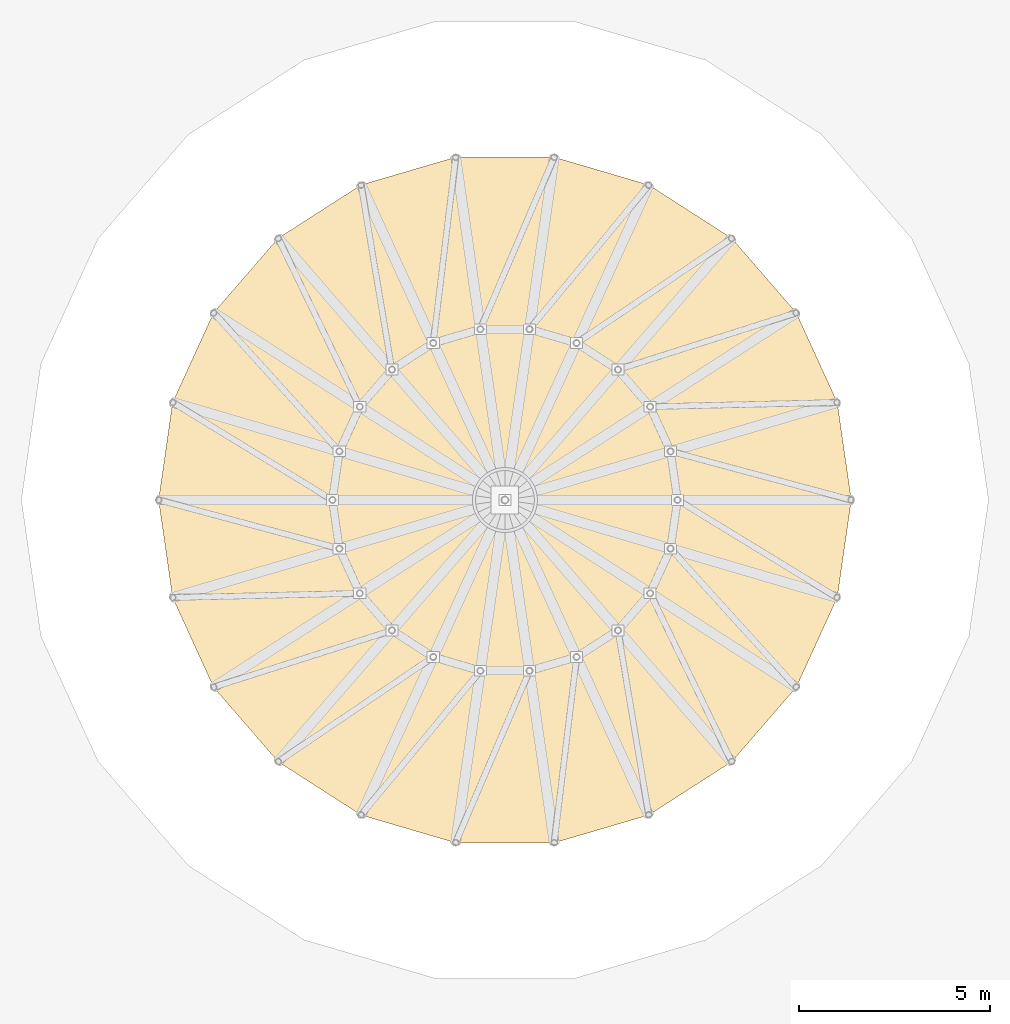
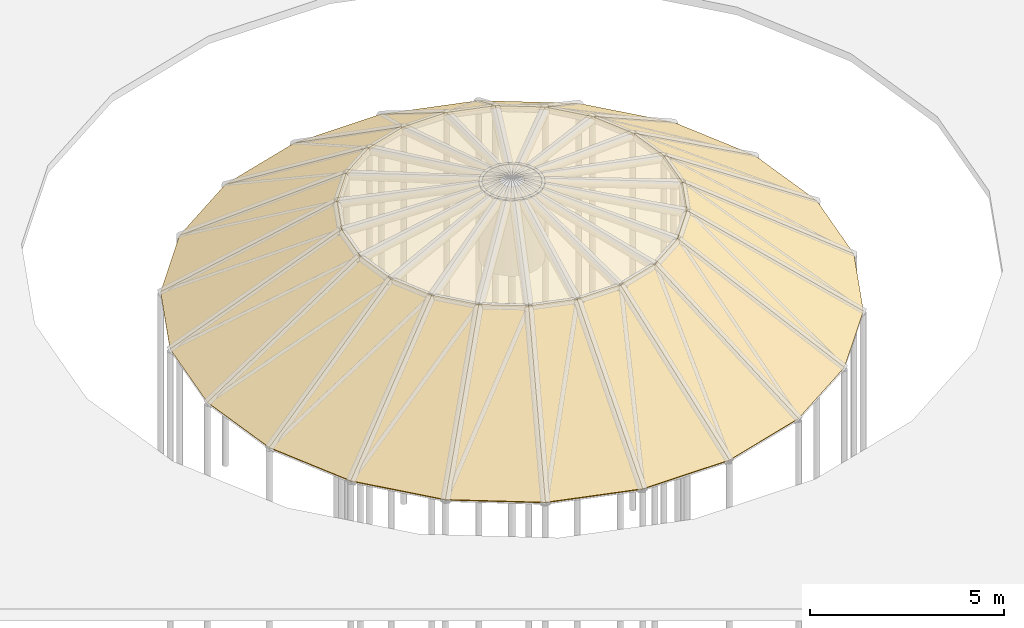
# One storey, part 8 of 8: 44 coverings.
"""IFC4 building model written with IfcOpenShell, lengths in metres."""

from ifc_helpers import new_model, si_unit, direction, frame, origin, place, context, subcontext, project, spatial, polyline, outline, extrude, material, layer, layer_set, type_object, element, save


model = new_model("IFC4")

# Units and contexts
model_context = context("Model", 3, precision=1e-05, world=origin(), true_north=direction((0.0, 1.0)))
body_context = subcontext(model_context, "Body", "Model", "MODEL_VIEW")
ifc_project = project(units=[si_unit("LENGTHUNIT", "METRE"), si_unit("AREAUNIT", "SQUARE_METRE"), si_unit("VOLUMEUNIT", "CUBIC_METRE"), si_unit("PLANEANGLEUNIT", "RADIAN"), si_unit("MASSUNIT", "GRAM", prefix="KILO")], contexts=[model_context])

# Site, building, storey
site_placement = place(None, origin())
site = spatial("IfcSite", under=ifc_project, at=site_placement, CompositionType="ELEMENT")
building_placement = place(site_placement, origin())
building = spatial("IfcBuilding", under=site, at=building_placement, Name="Pelvatis Terrace Science Centre", CompositionType="ELEMENT")
storey_placement = place(building_placement, frame((0.0, 0.0, 28.800048828125)))
storey = spatial("IfcBuildingStorey", under=building, at=storey_placement, Name="RF", CompositionType="ELEMENT", Elevation=28.800048828125)

# Coverings
ifc_material = material(Name="Standing-seam bronze-patinated zinc roofing", Category="steel")
ifc_layer = layer(ifc_material, 0.06494140625)
ifc_layer_set = layer_set([ifc_layer], Name="Standing-seam bronze-patinated zinc roofing")
covering_type = type_object("IfcCoveringType", Name="COV-ROOF-ZINC-65", PredefinedType="ROOFING", material=ifc_layer_set)
covering_1_placement = place(storey_placement, frame((118.263671875, 85.800048828125, -1.38232421875), z_axis=(0.550181092954, 0.079108941376, 0.831289684978), x_axis=(-0.142331752591, 0.989819009805, 5.6601e-06)))
element("IfcCovering", 1, at=covering_1_placement, inside=storey, type_object=covering_type, Name="Planetarium dome zinc roofing 3.01", PredefinedType="ROOFING", context=body_context, shape_type="SweptSolid", body=[
    extrude(outline(polyline([(0.0, 0.0), (2.5797324168585383, -5.551115123125783e-17), (1.9324399081032637, 5.415670184627411), (0.6473902196810699, 5.415709539616202), (0.0, 0.0)])), origin(), (0.0, 0.0, -1.0), 0.06494140625),
])
covering_2_placement = place(storey_placement, frame((117.896484375, 88.353515625, -1.38232421875), z_axis=(0.505614415474, 0.230881216315, 0.831292924797), x_axis=(-0.415368092473, 0.909653421753, -6.968852e-06)))
element("IfcCovering", 2, at=covering_2_placement, inside=storey, type_object=covering_type, Name="Planetarium dome zinc roofing 3.02", PredefinedType="ROOFING", context=body_context, shape_type="SweptSolid", body=[
    extrude(outline(polyline([(0.0, 0.0), (2.5797459100959377, -2.220446049250313e-16), (1.9322725027435417, 5.415761298979378), (0.6469355264219757, 5.415712839972862), (0.0, 0.0)])), origin(), (0.0, 0.0, -1.0), 0.06494140625),
])
covering_3_placement = place(storey_placement, frame((116.824951171875, 90.7001953125, -1.38232421875), z_axis=(0.420067060851, 0.363994919746, 0.831294991436), x_axis=(-0.65486566033, 0.755745305589, 4.9718e-08)))
element("IfcCovering", 3, at=covering_3_placement, inside=storey, type_object=covering_type, Name="Planetarium dome zinc roofing 3.03", PredefinedType="ROOFING", context=body_context, shape_type="SweptSolid", body=[
    extrude(outline(polyline([(0.0, 0.0), (2.579846772441714, -2.220446049250313e-16), (1.9325000357114408, 5.4157670150134), (0.647422702510147, 5.415767360724928), (0.0, 0.0)])), origin(), (0.0, 0.0, -1.0), 0.06494140625),
])
covering_4_placement = place(storey_placement, frame((115.135498046875, 92.64990234375, -1.38232421875), z_axis=(0.300518662124, 0.46759439963, 0.831290569627), x_axis=(-0.84125761292, 0.540634468319, 1.9202315e-05)))
element("IfcCovering", 4, at=covering_4_placement, inside=storey, type_object=covering_type, Name="Planetarium dome zinc roofing 3.04", PredefinedType="ROOFING", context=body_context, shape_type="SweptSolid", body=[
    extrude(outline(polyline([(0.0, 0.0), (2.579937718840264, -2.220446049250313e-16), (1.9327545476483177, 5.4156359862847046), (0.6473257637300799, 5.415769521547444), (0.0, 0.0)])), origin(), (0.0, 0.0, -1.0), 0.06494140625),
])
covering_5_placement = place(storey_placement, frame((112.965087890625, 94.044677734375, -1.38232421875), z_axis=(0.156602526415, 0.533326406662, 0.831287310548), x_axis=(-0.959488613652, 0.281747405022, -6.00291e-06)))
element("IfcCovering", 5, at=covering_5_placement, inside=storey, type_object=covering_type, Name="Planetarium dome zinc roofing 3.05", PredefinedType="ROOFING", context=body_context, shape_type="SweptSolid", body=[
    extrude(outline(polyline([(0.0, 0.0), (2.5796039037968295, -1.1102230246251565e-16), (1.9324036203314163, 5.415676133052485), (0.6471964940612613, 5.415634394444972), (0.0, 0.0)])), origin(), (0.0, 0.0, -1.0), 0.06494140625),
])
covering_6_placement = place(storey_placement, frame((110.489990234375, 94.771484375, -1.38232421875), z_axis=(0.0, 0.55584402576, 0.831286604624), x_axis=(-1.0, 0.0, 0.0)))
element("IfcCovering", 6, at=covering_6_placement, inside=storey, type_object=covering_type, Name="Planetarium dome zinc roofing 3.06", PredefinedType="ROOFING", context=body_context, shape_type="SweptSolid", body=[
    extrude(outline(polyline([(0.0, 0.0), (2.579833984375, 0.0), (1.9326171875, 5.415644977266387), (0.6474609375, 5.415644977266387), (0.0, 0.0)])), origin(), (0.0, 0.0, -1.0), 0.06494140625),
])
covering_7_placement = place(storey_placement, frame((107.91015625, 94.771484375, -1.38232421875), z_axis=(-0.15659386176, 0.533332008998, 0.831285348504), x_axis=(-0.959495353851, -0.281724450367, 1.905841e-06)))
element("IfcCovering", 7, at=covering_7_placement, inside=storey, type_object=covering_type, Name="Planetarium dome zinc roofing 3.07", PredefinedType="ROOFING", context=body_context, shape_type="SweptSolid", body=[
    extrude(outline(polyline([(0.0, 0.0), (2.5798381546480718, -1.1102230246251565e-16), (1.9325216242474308, 5.41562004815724), (0.6473144972464567, 5.415633300322998), (0.0, 0.0)])), origin(), (0.0, 0.0, -1.0), 0.06494140625),
])
covering_8_placement = place(storey_placement, frame((105.434814453125, 94.044677734375, -1.38232421875), z_axis=(-0.300537675535, 0.467588874155, 0.831286803907), x_axis=(-0.84123279303, -0.540673087736, -1.1341236e-05)))
element("IfcCovering", 8, at=covering_8_placement, inside=storey, type_object=covering_type, Name="Planetarium dome zinc roofing 3.08", PredefinedType="ROOFING", context=body_context, shape_type="SweptSolid", body=[
    extrude(outline(polyline([(0.0, 0.0), (2.57973233581085, -2.220446049250313e-16), (1.9328422957017184, 5.41568731921476), (0.6474135063669628, 5.4156084558526265), (0.0, 0.0)])), origin(), (0.0, 0.0, -1.0), 0.06494140625),
])
covering_9_placement = place(storey_placement, frame((103.2646484375, 92.64990234375, -1.38232421875), z_axis=(-0.42007895789, 0.364005228724, 0.831284465511), x_axis=(-0.654865660329, -0.755745305591, -4.9719e-08)))
element("IfcCovering", 9, at=covering_9_placement, inside=storey, type_object=covering_type, Name="Planetarium dome zinc roofing 3.09", PredefinedType="ROOFING", context=body_context, shape_type="SweptSolid", body=[
    extrude(outline(polyline([(0.0, 0.0), (2.579846772441714, 2.220446049250313e-16), (1.9325839492493049, 5.415613981012818), (0.6475066160480113, 5.415613635305668), (0.0, 0.0)])), origin(), (0.0, 0.0, -1.0), 0.06494140625),
])
covering_10_placement = place(storey_placement, frame((101.5751953125, 90.7001953125, -1.38232421875), z_axis=(-0.505609766085, 0.230914202593, 0.831286590461), x_axis=(-0.415438352489, -0.909621336184, -6.258634e-06)))
element("IfcCovering", 10, at=covering_10_placement, inside=storey, type_object=covering_type, Name="Planetarium dome zinc roofing 3.10", PredefinedType="ROOFING", context=body_context, shape_type="SweptSolid", body=[
    extrude(outline(polyline([(0.0, 0.0), (2.5798473268632858, 0.0), (1.9325242492108112, 5.415666530873442), (0.6471872726773734, 5.415623010082562), (0.0, 0.0)])), origin(), (0.0, 0.0, -1.0), 0.06494140625),
])
covering_11_placement = place(storey_placement, frame((100.50341796875, 88.353515625, -1.38232421875), z_axis=(-0.550181092954, 0.079108941376, 0.831289684978), x_axis=(-0.142331752591, -0.989819009805, -5.6601e-06)))
element("IfcCovering", 11, at=covering_11_placement, inside=storey, type_object=covering_type, Name="Planetarium dome zinc roofing 3.11", PredefinedType="ROOFING", context=body_context, shape_type="SweptSolid", body=[
    extrude(outline(polyline([(0.0, 0.0), (2.5797324168585383, 5.551115123125783e-17), (1.9323421971774684, 5.415709539616202), (0.6472925087552747, 5.415670184627411), (0.0, 0.0)])), origin(), (0.0, 0.0, -1.0), 0.06494140625),
])
covering_12_placement = place(storey_placement, frame((100.13623046875, 85.800048828125, -1.38232421875), z_axis=(-0.550183271266, -0.079104206137, 0.831288693891), x_axis=(0.142329003274, -0.989819405109, 9.814109e-06)))
element("IfcCovering", 12, at=covering_12_placement, inside=storey, type_object=covering_type, Name="Planetarium dome zinc roofing 3.12", PredefinedType="ROOFING", context=body_context, shape_type="SweptSolid", body=[
    extrude(outline(polyline([(0.0, 0.0), (2.579732416738556, 5.551115123125783e-17), (1.9326815630933392, 5.415641297461893), (0.647390219471215, 5.415709539584135), (0.0, 0.0)])), origin(), (0.0, 0.0, -1.0), 0.06494140625),
])
covering_13_placement = place(storey_placement, frame((100.50341796875, 83.24658203125, -1.38232421875), z_axis=(-0.505607642376, -0.230929268327, 0.831283697062), x_axis=(0.415445727481, -0.909617967876, -5.866796e-06)))
element("IfcCovering", 13, at=covering_13_placement, inside=storey, type_object=covering_type, Name="Planetarium dome zinc roofing 3.13", PredefinedType="ROOFING", context=body_context, shape_type="SweptSolid", body=[
    extrude(outline(polyline([(0.0, 0.0), (2.579847326872154, -1.1102230246251565e-16), (1.9326600541792687, 5.415623010084932), (0.6475451527650717, 5.415582216687719), (0.0, 0.0)])), origin(), (0.0, 0.0, -1.0), 0.06494140625),
])
covering_14_placement = place(storey_placement, frame((101.5751953125, 80.89990234375, -1.38232421875), z_axis=(-0.420099169685, -0.363992318607, 0.8312799045), x_axis=(0.654856001257, -0.755753674983, 1.9163147e-05)))
element("IfcCovering", 14, at=covering_14_placement, inside=storey, type_object=covering_type, Name="Planetarium dome zinc roofing 3.14", PredefinedType="ROOFING", context=body_context, shape_type="SweptSolid", body=[
    extrude(outline(polyline([(0.0, 0.0), (2.579846771756226, 2.220446049250313e-16), (1.9325246650331243, 5.415480730660303), (0.6472628219934159, 5.415613980829573), (0.0, 0.0)])), origin(), (0.0, 0.0, -1.0), 0.06494140625),
])
covering_15_placement = place(storey_placement, frame((103.2646484375, 78.9501953125, -1.38232421875), z_axis=(-0.300517565143, -0.467612213175, 0.831280945968), x_axis=(0.84124166949, -0.540659276569, -1.3211753e-05)))
element("IfcCovering", 15, at=covering_15_placement, inside=storey, type_object=covering_type, Name="Planetarium dome zinc roofing 3.15", PredefinedType="ROOFING", context=body_context, shape_type="SweptSolid", body=[
    extrude(outline(polyline([(0.0, 0.0), (2.5797323357251196, 3.3306690738754696e-16), (1.932318829508102, 5.415608455829714), (0.6470220386672855, 5.4155165900715545), (0.0, 0.0)])), origin(), (0.0, 0.0, -1.0), 0.06494140625),
])
covering_16_placement = place(storey_placement, frame((105.434814453125, 77.555419921875, -1.38232421875), z_axis=(-0.15659386176, -0.533332008998, 0.831285348504), x_axis=(0.959495353851, -0.281724450367, -1.905841e-06)))
element("IfcCovering", 16, at=covering_16_placement, inside=storey, type_object=covering_type, Name="Planetarium dome zinc roofing 3.16", PredefinedType="ROOFING", context=body_context, shape_type="SweptSolid", body=[
    extrude(outline(polyline([(0.0, 0.0), (2.5798381546480718, 1.1102230246251565e-16), (1.9325236574016151, 5.415633300322998), (0.6473165304006415, 5.41562004815724), (0.0, 0.0)])), origin(), (0.0, 0.0, -1.0), 0.06494140625),
])
covering_17_placement = place(storey_placement, frame((107.91015625, 76.82861328125, -1.38232421875), z_axis=(0.0, -0.55584402576, 0.831286604624), x_axis=(1.0, 0.0, 0.0)))
element("IfcCovering", 17, at=covering_17_placement, inside=storey, type_object=covering_type, Name="Planetarium dome zinc roofing 3.17", PredefinedType="ROOFING", context=body_context, shape_type="SweptSolid", body=[
    extrude(outline(polyline([(0.0, 0.0), (2.579833984375, 0.0), (1.932373046875, 5.415644977266387), (0.647216796875, 5.415644977266387), (0.0, 0.0)])), origin(), (0.0, 0.0, -1.0), 0.06494140625),
])
covering_18_placement = place(storey_placement, frame((110.489990234375, 76.82861328125, -1.38232421875), z_axis=(0.156602526415, -0.533326406662, 0.831287310548), x_axis=(0.959488613652, 0.281747405022, 6.00291e-06)))
element("IfcCovering", 18, at=covering_18_placement, inside=storey, type_object=covering_type, Name="Planetarium dome zinc roofing 3.18", PredefinedType="ROOFING", context=body_context, shape_type="SweptSolid", body=[
    extrude(outline(polyline([(0.0, 0.0), (2.5796039037968295, 1.1102230246251565e-16), (1.9324074097355681, 5.415634394444972), (0.6472002834654131, 5.415676133052486), (0.0, 0.0)])), origin(), (0.0, 0.0, -1.0), 0.06494140625),
])
covering_19_placement = place(storey_placement, frame((112.965087890625, 77.555419921875, -1.38232421875), z_axis=(0.30049855262, -0.467617738327, 0.83128471096), x_axis=(0.841266488362, 0.540620657698, 5.349702e-06)))
element("IfcCovering", 19, at=covering_19_placement, inside=storey, type_object=covering_type, Name="Planetarium dome zinc roofing 3.19", PredefinedType="ROOFING", context=body_context, shape_type="SweptSolid", body=[
    extrude(outline(polyline([(0.0, 0.0), (2.5799377194751445, 1.1102230246251565e-16), (1.9324799664346406, 5.415598785824368), (0.6471831723024463, 5.415635986454445), (0.0, 0.0)])), origin(), (0.0, 0.0, -1.0), 0.06494140625),
])
covering_20_placement = place(storey_placement, frame((115.135498046875, 78.9501953125, -1.38232421875), z_axis=(0.420087271566, -0.363982009555, 0.83129043119), x_axis=(0.654856001806, 0.755753674507, -1.9162847e-05)))
element("IfcCovering", 20, at=covering_20_placement, inside=storey, type_object=covering_type, Name="Planetarium dome zinc roofing 3.20", PredefinedType="ROOFING", context=body_context, shape_type="SweptSolid", body=[
    extrude(outline(polyline([(0.0, 0.0), (2.5798467717562645, 2.220446049250313e-16), (1.9324240704450006, 5.415767360541728), (0.6471622274053886, 5.415634108685081), (0.0, 0.0)])), origin(), (0.0, 0.0, -1.0), 0.06494140625),
])
covering_21_placement = place(storey_placement, frame((116.824951171875, 80.89990234375, -1.38232421875), z_axis=(0.505612292315, -0.230896280157, 0.831290032221), x_axis=(0.415375466798, 0.909650054261, 1.9093017e-05)))
element("IfcCovering", 21, at=covering_21_placement, inside=storey, type_object=covering_type, Name="Planetarium dome zinc roofing 3.21", PredefinedType="ROOFING", context=body_context, shape_type="SweptSolid", body=[
    extrude(outline(polyline([(0.0, 0.0), (2.579745909506145, 1.1102230246251565e-16), (1.932588300288342, 5.415628541196865), (0.6474734063208383, 5.415761298821764), (0.0, 0.0)])), origin(), (0.0, 0.0, -1.0), 0.06494140625),
])
covering_22_placement = place(storey_placement, frame((117.896484375, 83.24658203125, -1.38232421875), z_axis=(0.550183271266, -0.079104206137, 0.831288693891), x_axis=(0.142329003274, 0.989819405109, -9.814109e-06)))
element("IfcCovering", 22, at=covering_22_placement, inside=storey, type_object=covering_type, Name="Planetarium dome zinc roofing 3.22", PredefinedType="ROOFING", context=body_context, shape_type="SweptSolid", body=[
    extrude(outline(polyline([(0.0, 0.0), (2.579732416738556, -5.551115123125783e-17), (1.9323421972673411, 5.415709539584135), (0.647050853645217, 5.415641297461893), (0.0, 0.0)])), origin(), (0.0, 0.0, -1.0), 0.06494140625),
])
covering_23_placement = place(storey_placement, frame((113.71533203125, 85.800048828125, 1.6279296875), z_axis=(0.195066695784, 0.028021208715, 0.980389614418), x_axis=(-0.142294791253, 0.989824323771, 2.1318861e-05)))
element("IfcCovering", 23, at=covering_23_placement, inside=storey, type_object=covering_type, Name="Planetarium dome zinc roofing 4.01", PredefinedType="ROOFING", context=body_context, shape_type="SweptSolid", body=[
    extrude(outline(polyline([(0.0, 0.0), (1.2850496888410443, -2.7755575615628914e-17), (0.6893046341886755, 4.225671415810263), (0.5955992724307505, 4.2258205690630195), (0.0, 0.0)])), origin(), (0.0, 0.0, -1.0), 0.06494140625),
])
covering_24_placement = place(storey_placement, frame((113.532470703125, 87.072021484375, 1.6279296875), z_axis=(0.179260367973, 0.081868862353, 0.980389315451), x_axis=(-0.415406047045, 0.909636089902, -5.131619e-06)))
element("IfcCovering", 24, at=covering_24_placement, inside=storey, type_object=covering_type, Name="Planetarium dome zinc roofing 4.02", PredefinedType="ROOFING", context=body_context, shape_type="SweptSolid", body=[
    extrude(outline(polyline([(0.0, 0.0), (1.2853369773993817, 0.0), (0.6895243771135965, 4.225732024064302), (0.5955698851719746, 4.225696107998124), (0.0, 0.0)])), origin(), (0.0, 0.0, -1.0), 0.06494140625),
])
covering_25_placement = place(storey_placement, frame((112.99853515625, 88.2412109375, 1.6279296875), z_axis=(0.148936524991, 0.129050411324, 0.980389668887), x_axis=(-0.654864827862, 0.755746026925, 4.035303e-06)))
element("IfcCovering", 25, at=covering_25_placement, inside=storey, type_object=covering_type, Name="Planetarium dome zinc roofing 4.03", PredefinedType="ROOFING", context=body_context, shape_type="SweptSolid", body=[
    extrude(outline(polyline([(0.0, 0.0), (1.285077333190464, -1.1102230246251565e-16), (0.689553813169292, 4.2257376515644935), (0.5955723604211443, 4.225765890034796), (0.0, 0.0)])), origin(), (0.0, 0.0, -1.0), 0.06494140625),
])
covering_26_placement = place(storey_placement, frame((112.156982421875, 89.21240234375, 1.6279296875), z_axis=(0.106553041311, 0.165776302897, 0.98039005849), x_axis=(-0.841197832074, 0.540727479655, -7.767419e-06)))
element("IfcCovering", 26, at=covering_26_placement, inside=storey, type_object=covering_type, Name="Planetarium dome zinc roofing 4.04", PredefinedType="ROOFING", context=body_context, shape_type="SweptSolid", body=[
    extrude(outline(polyline([(0.0, 0.0), (1.2854287921954428, 0.0), (0.689320252190297, 4.225820505238896), (0.5953213719754185, 4.225766134885101), (0.0, 0.0)])), origin(), (0.0, 0.0, -1.0), 0.06494140625),
])
covering_27_placement = place(storey_placement, frame((111.07568359375, 89.907470703125, 1.6279296875), z_axis=(0.055503986768, 0.189083349013, 0.980391143666), x_axis=(-0.95949912166, 0.281711617454, -1.1168534e-05)))
element("IfcCovering", 27, at=covering_27_placement, inside=storey, type_object=covering_type, Name="Planetarium dome zinc roofing 4.05", PredefinedType="ROOFING", context=body_context, shape_type="SweptSolid", body=[
    extrude(outline(polyline([(0.0, 0.0), (1.285207126999513, 0.0), (0.6896245129321752, 4.22594819449235), (0.5957573179669287, 4.22587003490912), (0.0, 0.0)])), origin(), (0.0, 0.0, -1.0), 0.06494140625),
])
covering_28_placement = place(storey_placement, frame((109.842529296875, 90.26953125, 1.6279296875), z_axis=(0.0, 0.197060394684, 0.980391350863), x_axis=(-1.0, 0.0, 0.0)))
element("IfcCovering", 28, at=covering_28_placement, inside=storey, type_object=covering_type, Name="Planetarium dome zinc roofing 4.06", PredefinedType="ROOFING", context=body_context, shape_type="SweptSolid", body=[
    extrude(outline(polyline([(0.0, 0.0), (1.28515625, 0.0), (0.689453125, 4.225931208596754), (0.595703125, 4.225931208596754), (0.0, 0.0)])), origin(), (0.0, 0.0, -1.0), 0.06494140625),
])
covering_29_placement = place(storey_placement, frame((108.557373046875, 90.26953125, 1.6279296875), z_axis=(-0.055503986768, 0.189083349013, 0.980391143666), x_axis=(-0.95949912166, -0.281711617454, 1.1168534e-05)))
element("IfcCovering", 29, at=covering_29_placement, inside=storey, type_object=covering_type, Name="Planetarium dome zinc roofing 4.07", PredefinedType="ROOFING", context=body_context, shape_type="SweptSolid", body=[
    extrude(outline(polyline([(0.0, 0.0), (1.285207126999513, 0.0), (0.6894498090325842, 4.22587003490912), (0.5955826140673377, 4.225948194492351), (0.0, 0.0)])), origin(), (0.0, 0.0, -1.0), 0.06494140625),
])
covering_30_placement = place(storey_placement, frame((107.32421875, 89.907470703125, 1.6279296875), z_axis=(-0.106553041311, 0.165776302897, 0.98039005849), x_axis=(-0.841197832074, -0.540727479655, 7.767419e-06)))
element("IfcCovering", 30, at=covering_30_placement, inside=storey, type_object=covering_type, Name="Planetarium dome zinc roofing 4.08", PredefinedType="ROOFING", context=body_context, shape_type="SweptSolid", body=[
    extrude(outline(polyline([(0.0, 0.0), (1.2854287921954428, 0.0), (0.6901074202200241, 4.225766134885102), (0.5961085400051458, 4.225820505238896), (0.0, 0.0)])), origin(), (0.0, 0.0, -1.0), 0.06494140625),
])
covering_31_placement = place(storey_placement, frame((106.242919921875, 89.21240234375, 1.6279296875), z_axis=(-0.1489506051, 0.129027720229, 0.980390516403), x_axis=(-0.654860900385, -0.755749429543, -2.9887488e-05)))
element("IfcCovering", 31, at=covering_31_placement, inside=storey, type_object=covering_type, Name="Planetarium dome zinc roofing 4.09", PredefinedType="ROOFING", context=body_context, shape_type="SweptSolid", body=[
    extrude(outline(polyline([(0.0, 0.0), (1.2850773326042042, 0.0), (0.6893450938257734, 4.225946780075561), (0.5955235191203344, 4.225737651513162), (0.0, 0.0)])), origin(), (0.0, 0.0, -1.0), 0.06494140625),
])
covering_32_placement = place(storey_placement, frame((105.4013671875, 88.2412109375, 1.6279296875), z_axis=(-0.179251132407, 0.081864644437, 0.980391356307), x_axis=(-0.415406046948, -0.909636089946, 5.131365e-06)))
element("IfcCovering", 32, at=covering_32_placement, inside=storey, type_object=covering_type, Name="Planetarium dome zinc roofing 4.10", PredefinedType="ROOFING", context=body_context, shape_type="SweptSolid", body=[
    extrude(outline(polyline([(0.0, 0.0), (1.2853369773993835, 0.0), (0.6896656749645281, 4.225913832289803), (0.5957111830229097, 4.2259497484307476), (0.0, 0.0)])), origin(), (0.0, 0.0, -1.0), 0.06494140625),
])
covering_33_placement = place(storey_placement, frame((104.867431640625, 87.072021484375, 1.6279296875), z_axis=(-0.19505631231, 0.02805461093, 0.980390725085), x_axis=(-0.142301528675, -0.989823355341, 1.2543676e-05)))
element("IfcCovering", 33, at=covering_33_placement, inside=storey, type_object=covering_type, Name="Planetarium dome zinc roofing 4.11", PredefinedType="ROOFING", context=body_context, shape_type="SweptSolid", body=[
    extrude(outline(polyline([(0.0, 0.0), (1.2850496890396852, 2.7755575615628914e-17), (0.6894504163037194, 4.225820569080407), (0.5957103139827045, 4.2259083331364735), (0.0, 0.0)])), origin(), (0.0, 0.0, -1.0), 0.06494140625),
])
covering_34_placement = place(storey_placement, frame((104.6845703125, 85.800048828125, 1.6279296875), z_axis=(-0.195057725725, -0.028044780308, 0.980390725136), x_axis=(0.142273875776, -0.989827330501, -8.028827e-06)))
element("IfcCovering", 34, at=covering_34_placement, inside=storey, type_object=covering_type, Name="Planetarium dome zinc roofing 4.12", PredefinedType="ROOFING", context=body_context, shape_type="SweptSolid", body=[
    extrude(outline(polyline([(0.0, 0.0), (1.2852913457515114, -5.551115123125783e-17), (0.6894690468880262, 4.2258925455570004), (0.595487290030445, 4.225836350749802), (0.0, 0.0)])), origin(), (0.0, 0.0, -1.0), 0.06494140625),
])
covering_35_placement = place(storey_placement, frame((104.867431640625, 84.52783203125, 1.6279296875), z_axis=(-0.179247221103, -0.081878790955, 0.980390890063), x_axis=(0.415477641559, -0.909603391236, -4.093514e-06)))
element("IfcCovering", 35, at=covering_35_placement, inside=storey, type_object=covering_type, Name="Planetarium dome zinc roofing 4.13", PredefinedType="ROOFING", context=body_context, shape_type="SweptSolid", body=[
    extrude(outline(polyline([(0.0, 0.0), (1.285114902179426, -1.1102230246251565e-16), (0.6899527516064115, 4.22589637983257), (0.5959982570795566, 4.225867732910878), (0.0, 0.0)])), origin(), (0.0, 0.0, -1.0), 0.06494140625),
])
covering_36_placement = place(storey_placement, frame((105.4013671875, 83.35888671875, 1.6279296875), z_axis=(-0.1489506051, -0.129027720229, 0.980390516403), x_axis=(0.654770535919, -0.755827721943, 5.854482e-06)))
element("IfcCovering", 36, at=covering_36_placement, inside=storey, type_object=covering_type, Name="Planetarium dome zinc roofing 4.14", PredefinedType="ROOFING", context=body_context, shape_type="SweptSolid", body=[
    extrude(outline(polyline([(0.0, 0.0), (1.28526185130014, 0.0), (0.689038458522883, 4.225821714623384), (0.5954013872633028, 4.225862679568698), (0.0, 0.0)])), origin(), (0.0, 0.0, -1.0), 0.06494140625),
])
covering_37_placement = place(storey_placement, frame((106.242919921875, 82.387451171875, 1.6279296875), z_axis=(-0.106525818428, -0.165788217088, 0.980391002143), x_axis=(0.841283992596, -0.540593418172, -5.664196e-06)))
element("IfcCovering", 37, at=covering_37_placement, inside=storey, type_object=covering_type, Name="Planetarium dome zinc roofing 4.15", PredefinedType="ROOFING", context=body_context, shape_type="SweptSolid", body=[
    extrude(outline(polyline([(0.0, 0.0), (1.2852967947563334, 1.1102230246251565e-16), (0.6898502416085859, 4.225913834469136), (0.5958513537715153, 4.225874189098603), (0.0, 0.0)])), origin(), (0.0, 0.0, -1.0), 0.06494140625),
])
covering_38_placement = place(storey_placement, frame((107.32421875, 81.692626953125, 1.6279296875), z_axis=(-0.055537612132, -0.18907905638, 0.980390067308), x_axis=(0.959497263217, -0.281717946555, 2.164786e-05)))
element("IfcCovering", 38, at=covering_38_placement, inside=storey, type_object=covering_type, Name="Planetarium dome zinc roofing 4.16", PredefinedType="ROOFING", context=body_context, shape_type="SweptSolid", body=[
    extrude(outline(polyline([(0.0, 0.0), (1.2852071267695964, 0.0), (0.6896932908317966, 4.225718535502461), (0.5957573176136736, 4.225870034888995), (0.0, 0.0)])), origin(), (0.0, 0.0, -1.0), 0.06494140625),
])
covering_39_placement = place(storey_placement, frame((108.557373046875, 81.33056640625, 1.6279296875), z_axis=(0.0, -0.197071556647, 0.980389107223), x_axis=(1.0, 0.0, 0.0)))
element("IfcCovering", 39, at=covering_39_placement, inside=storey, type_object=covering_type, Name="Planetarium dome zinc roofing 4.17", PredefinedType="ROOFING", context=body_context, shape_type="SweptSolid", body=[
    extrude(outline(polyline([(0.0, 0.0), (1.28515625, 0.0), (0.689453125, 4.2256918555134835), (0.595703125, 4.2256918555134835), (0.0, 0.0)])), origin(), (0.0, 0.0, -1.0), 0.06494140625),
])
covering_40_placement = place(storey_placement, frame((109.842529296875, 81.33056640625, 1.6279296875), z_axis=(0.055537612132, -0.18907905638, 0.980390067308), x_axis=(0.959497263217, 0.281717946555, -2.164786e-05)))
element("IfcCovering", 40, at=covering_40_placement, inside=storey, type_object=covering_type, Name="Planetarium dome zinc roofing 4.18", PredefinedType="ROOFING", context=body_context, shape_type="SweptSolid", body=[
    extrude(outline(polyline([(0.0, 0.0), (1.2852071267695964, 0.0), (0.6894498091559229, 4.225870034888996), (0.5955138359377998, 4.225718535502462), (0.0, 0.0)])), origin(), (0.0, 0.0, -1.0), 0.06494140625),
])
covering_41_placement = place(storey_placement, frame((111.07568359375, 81.692626953125, 1.6279296875), z_axis=(0.106525818428, -0.165788217088, 0.980391002143), x_axis=(0.841283992596, 0.540593418172, 5.664196e-06)))
element("IfcCovering", 41, at=covering_41_placement, inside=storey, type_object=covering_type, Name="Planetarium dome zinc roofing 4.19", PredefinedType="ROOFING", context=body_context, shape_type="SweptSolid", body=[
    extrude(outline(polyline([(0.0, 0.0), (1.2852967947563334, -1.1102230246251565e-16), (0.6894454409848185, 4.225874189098603), (0.5954465531477473, 4.225913834469136), (0.0, 0.0)])), origin(), (0.0, 0.0, -1.0), 0.06494140625),
])
covering_42_placement = place(storey_placement, frame((112.156982421875, 82.387451171875, 1.6279296875), z_axis=(0.148936524991, -0.129050411324, 0.980389668887), x_axis=(0.654774463553, 0.75582431919, 1.9998197e-05)))
element("IfcCovering", 42, at=covering_42_placement, inside=storey, type_object=covering_type, Name="Planetarium dome zinc roofing 4.20", PredefinedType="ROOFING", context=body_context, shape_type="SweptSolid", body=[
    extrude(outline(polyline([(0.0, 0.0), (1.2852618510556657, 0.0), (0.690020320473115, 4.2256817701040115), (0.596223392401718, 4.225821714602014), (0.0, 0.0)])), origin(), (0.0, 0.0, -1.0), 0.06494140625),
])
covering_43_placement = place(storey_placement, frame((112.99853515625, 83.35888671875, 1.6279296875), z_axis=(0.179256456261, -0.081883009507, 0.980388849204), x_axis=(0.415477641636, 0.909603391201, 4.093716e-06)))
element("IfcCovering", 43, at=covering_43_placement, inside=storey, type_object=covering_type, Name="Planetarium dome zinc roofing 4.21", PredefinedType="ROOFING", context=body_context, shape_type="SweptSolid", body=[
    extrude(outline(polyline([(0.0, 0.0), (1.2851149021794248, 5.551115123125783e-17), (0.6892180798882327, 4.225650016562421), (0.5952635853613751, 4.22567866342448), (0.0, 0.0)])), origin(), (0.0, 0.0, -1.0), 0.06494140625),
])
covering_44_placement = place(storey_placement, frame((113.532470703125, 84.52783203125, 1.6279296875), z_axis=(0.195068107524, -0.028011389546, 0.980389614124), x_axis=(0.142267140566, 0.989828298266, -2.582221e-05)))
element("IfcCovering", 44, at=covering_44_placement, inside=storey, type_object=covering_type, Name="Planetarium dome zinc roofing 4.22", PredefinedType="ROOFING", context=body_context, shape_type="SweptSolid", body=[
    extrude(outline(polyline([(0.0, 0.0), (1.2852913453487902, 2.7755575615628914e-17), (0.6898040559372037, 4.2258363507145225), (0.5958570326877036, 4.225655627328156), (0.0, 0.0)])), origin(), (0.0, 0.0, -1.0), 0.06494140625),
])

save(model, "model.ifc")
